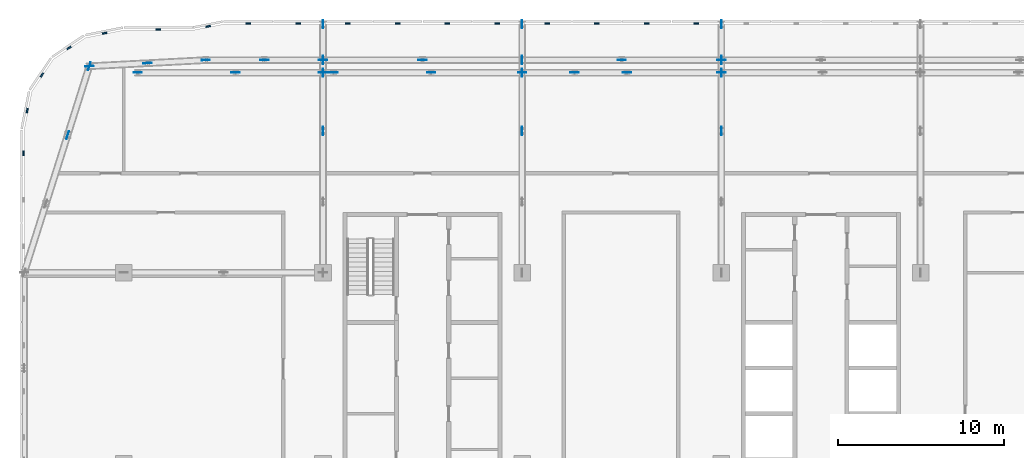
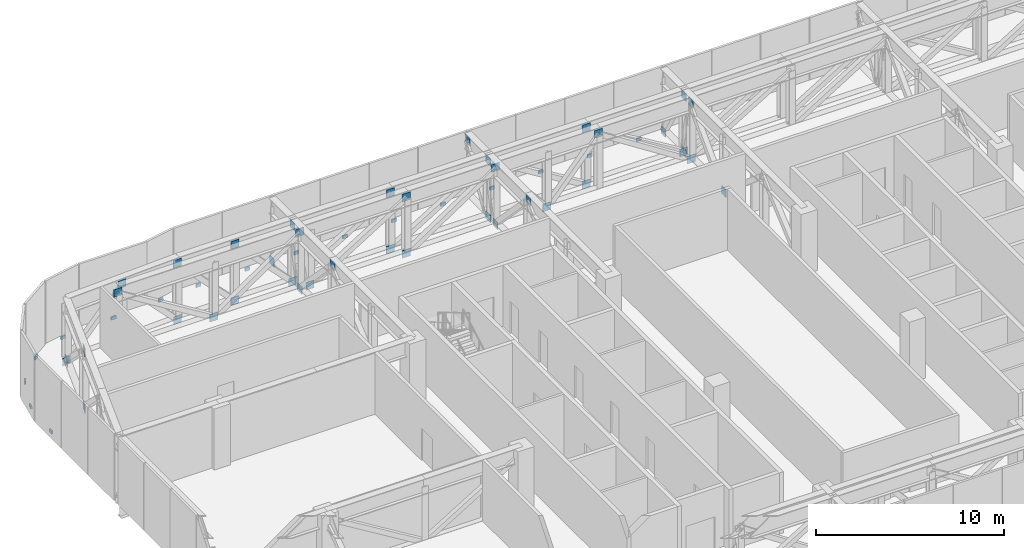
# One storey, part 19 of 29: 56 discrete accessories.
"""IFC4 building model written with IfcOpenShell, lengths in metres."""

from ifc_helpers import new_model, si_unit, direction, frame, origin, origin_2d, place, context, subcontext, project, spatial, rectangle, extrude, material, layer, layer_set, type_object, element, save


model = new_model("IFC4")

# Units and contexts
model_context = context("Model", 3, precision=1e-05, world=origin(), true_north=direction((0.0, 1.0)))
body_context = subcontext(model_context, "Body", "Model", "MODEL_VIEW")
ifc_project = project(units=[si_unit("LENGTHUNIT", "METRE"), si_unit("AREAUNIT", "SQUARE_METRE"), si_unit("VOLUMEUNIT", "CUBIC_METRE"), si_unit("PLANEANGLEUNIT", "RADIAN"), si_unit("MASSUNIT", "GRAM", prefix="KILO")], contexts=[model_context])

# Site, building, storey
site_placement = place(None, origin())
site = spatial("IfcSite", under=ifc_project, at=site_placement, CompositionType="ELEMENT")
building_placement = place(site_placement, origin())
building = spatial("IfcBuilding", under=site, at=building_placement, Name="Mahtab Terrace Research Tower", CompositionType="ELEMENT")
storey_placement = place(building_placement, frame((0.0, 0.0, 259.0)))
storey = spatial("IfcBuildingStorey", under=building, at=storey_placement, Name="L63", CompositionType="ELEMENT", Elevation=259.0)

# Discrete accessories
ifc_material_1 = material(Name="Black anodised aluminium", Category="aluminium")
discrete_accessory_type_1 = type_object("IfcDiscreteAccessoryType", Name="Facade bracket", PredefinedType="BRACKET", material=ifc_material_1)
for number, where, z_axis, x_axis, name in (
    (1, (-7.5, 26.51806640625, -0.2998046875), (0.0, 0.0, 1.0), (-1.0, 0.0, 0.0), "Louvre bracket L63 66"),
    (2, (-10.5, 26.51806640625, -0.2998046875), (0.0, 0.0, 1.0), (-1.0, 0.0, 0.0), "Louvre bracket L63 67"),
    (3, (-13.5, 26.51806640625, -0.2998046875), (0.0, 0.0, 1.0), (-1.0, 0.0, 0.0), "Louvre bracket L63 68"),
    (4, (-16.5, 26.51806640625, -0.2998046875), (0.0, 0.0, 1.0), (-1.0, 0.0, 0.0), "Louvre bracket L63 69"),
    (5, (-19.5, 26.51806640625, -0.2998046875), (0.0, 0.0, 1.0), (-1.0, 0.0, 0.0), "Louvre bracket L63 70"),
    (6, (-22.5, 26.51806640625, -0.2998046875), (0.0, 0.0, 1.0), (-1.0, 0.0, 0.0), "Louvre bracket L63 71"),
    (7, (-25.5, 26.51806640625, -0.2998046875), (0.0, 0.0, 1.0), (-1.0, 0.0, 0.0), "Louvre bracket L63 72"),
    (8, (-28.5, 26.51806640625, -0.2998046875), (0.0, 0.0, 1.0), (-1.0, 0.0, 0.0), "Louvre bracket L63 73"),
    (9, (-31.5, 26.51806640625, -0.2998046875), (0.0, 0.0, 1.0), (-1.0, 0.0, 0.0), "Louvre bracket L63 74"),
    (10, (-34.5, 26.51806640625, -0.2998046875), (0.0, 0.0, 1.0), (-1.0, 0.0, 0.0), "Louvre bracket L63 75"),
    (11, (-36.916259765625, 26.336669921875, -0.2998046875), (0.0, 0.0, 1.0), (-0.980787963133, -0.195076834539, 0.0), "Louvre bracket L63 76"),
    (12, (-39.907470703125, 26.156982421875, -0.2998046875), (0.0, 0.0, 1.0), (-1.0, 0.0, 0.0), "Louvre bracket L63 77"),
    (13, (-43.15673828125, 25.927734375, -0.2998046875), (0.0, 0.0, 1.0), (-0.980760981187, -0.195212442692, 0.0), "Louvre bracket L63 78"),
    (14, (-45.29443359375, 25.04248046875, -0.2998046875), (0.0, 0.0, 1.0), (-0.831655794326, -0.555291490808, 0.0), "Louvre bracket L63 79"),
    (15, (-46.930419921875, 23.406494140625, -0.2998046875), (0.0, 0.0, 1.0), (-0.555291490808, -0.831655794326, 0.0), "Louvre bracket L63 80"),
    (16, (-47.815673828125, 21.268798828125, -0.2998046875), (0.0, 0.0, 1.0), (-0.195212442692, -0.980760981187, 0.0), "Louvre bracket L63 81"),
    (17, (-48.044921875, 18.7080078125, -0.2998046875), (0.0, 0.0, 1.0), (0.0, -1.0, 0.0), "Louvre bracket L63 82"),
):
    element("IfcDiscreteAccessory", number, at=place(storey_placement, frame(where, z_axis=z_axis, x_axis=x_axis)), inside=storey, type_object=discrete_accessory_type_1, Name=name, PredefinedType="BRACKET", context=body_context, shape_type="SweptSolid", body=[
        extrude(rectangle(XDim=0.300048828125, YDim=0.090087890625, at=origin_2d()), origin(), (0.0, 0.0, 1.0), 0.199951171875),
    ])
ifc_material_2 = material(Name="Steel ASTM A992 Gr 50", Category="steel")
ifc_layer = layer(ifc_material_2, 0.030029296875)
ifc_layer_set = layer_set([ifc_layer], Name="Gusset plate 500x500x30")
discrete_accessory_type_2 = type_object("IfcDiscreteAccessoryType", Name="Gusset plate 500x500x30", PredefinedType="USERDEFINED", material=ifc_layer_set)
for number, where, z_axis, x_axis, name in (
    (18, (-41.154052734375, 23.5458984375, 3.209716796875), (0.0, 0.0, 1.0), (1.0, 0.0, 0.0), "Gusset plate"),
    (19, (-37.05810546875, 24.306884765625, 3.209716796875), (0.0, 0.0, 1.0), (1.0, 0.0, 0.0), "Gusset plate"),
    (20, (-35.260009765625, 23.5458984375, -0.44677734375), (0.0, 0.0, 1.0), (1.0, 0.0, 0.0), "Gusset plate"),
    (21, (-33.529052734375, 24.306884765625, -0.44677734375), (0.0, 0.0, 1.0), (1.0, 0.0, 0.0), "Gusset plate"),
    (22, (-33.529052734375, 24.306884765625, 3.209716796875), (0.0, 0.0, 1.0), (1.0, 0.0, 0.0), "Gusset plate"),
    (23, (-30.0, 23.5458984375, 3.209716796875), (0.0, 0.0, 1.0), (1.0, 0.0, 0.0), "Gusset plate"),
    (24, (-30.0, 24.306884765625, -0.44677734375), (0.0, 0.0, 1.0), (1.0, 0.0, 0.0), "Gusset plate"),
    (25, (-29.365966796875, 23.5458984375, -0.44677734375), (0.0, 0.0, 1.0), (1.0, 0.0, 0.0), "Gusset plate"),
    (26, (-24.0, 24.306884765625, -0.44677734375), (0.0, 0.0, 1.0), (1.0, 0.0, 0.0), "Gusset plate"),
    (27, (-24.0, 24.306884765625, 3.209716796875), (0.0, 0.0, 1.0), (1.0, 0.0, 0.0), "Gusset plate"),
    (28, (-23.470947265625, 23.5458984375, -0.44677734375), (0.0, 0.0, 1.0), (1.0, 0.0, 0.0), "Gusset plate"),
    (29, (-23.470947265625, 23.5458984375, 3.209716796875), (0.0, 0.0, 1.0), (1.0, 0.0, 0.0), "Gusset plate"),
    (30, (-18.0, 23.5458984375, 3.209716796875), (0.0, 0.0, 1.0), (1.0, 0.0, 0.0), "Gusset plate"),
    (31, (-14.841552734375, 23.5458984375, -0.44677734375), (0.0, 0.0, 1.0), (1.0, 0.0, 0.0), "Gusset plate"),
    (32, (-12.0, 24.306884765625, -0.44677734375), (0.0, 0.0, 1.0), (1.0, 0.0, 0.0), "Gusset plate"),
    (33, (-12.0, 24.306884765625, 3.209716796875), (0.0, 0.0, 1.0), (1.0, 0.0, 0.0), "Gusset plate"),
    (34, (-11.68310546875, 23.5458984375, 3.209716796875), (0.0, 0.0, 1.0), (1.0, 0.0, 0.0), "Gusset plate"),
    (35, (-6.0, 23.5458984375, -0.44677734375), (0.0, 0.0, 1.0), (1.0, 0.0, 0.0), "Gusset plate"),
    (36, (-6.0, 24.306884765625, -0.44677734375), (0.0, 0.0, 1.0), (1.0, 0.0, 0.0), "Gusset plate"),
    (37, (-44.072021484375, 23.93701171875, -0.44677734375), (0.0, 0.0, 1.0), (0.99861120522, 0.052684540515, 0.0), "Gusset plate"),
    (38, (-40.56494140625, 24.1220703125, 3.209716796875), (0.0, 0.0, 1.0), (0.99861120522, 0.052684540515, 0.0), "Gusset plate"),
    (39, (-37.05810546875, 24.306884765625, -0.44677734375), (0.0, 0.0, 1.0), (0.99861120522, 0.052684540515, 0.0), "Gusset plate"),
    (40, (-45.381103515625, 19.791015625, -0.44677734375), (0.0, 0.0, 1.0), (0.301354904328, 0.95351204588, 0.0), "Gusset plate"),
    (41, (-45.381103515625, 19.791015625, 3.209716796875), (0.0, 0.0, 1.0), (0.301071978348, 0.953601417707, 0.0), "Gusset plate"),
    (42, (-44.072021484375, 23.93701171875, -0.44677734375), (0.0, 0.0, 1.0), (0.301071978348, 0.953601417707, 0.0), "Gusset plate"),
    (43, (-30.0, 20.0380859375, 3.209716796875), (0.0, 0.0, 1.0), (0.0, 1.0, 0.0), "Gusset plate"),
    (44, (-30.0, 23.5458984375, -0.44677734375), (0.0, 0.0, 1.0), (0.0, 1.0, 0.0), "Gusset plate"),
    (45, (-30.0, 24.306884765625, 3.209716796875), (0.0, 0.0, 1.0), (0.0, 1.0, 0.0), "Gusset plate"),
    (46, (-30.0, 26.472900390625, -0.44677734375), (0.0, 0.0, 1.0), (0.0, 1.0, 0.0), "Gusset plate"),
    (47, (-18.0, 20.0380859375, 3.209716796875), (0.0, 0.0, 1.0), (0.0, 1.0, 0.0), "Gusset plate"),
    (48, (-18.0, 23.5458984375, -0.44677734375), (0.0, 0.0, 1.0), (0.0, 1.0, 0.0), "Gusset plate"),
    (49, (-18.0, 24.306884765625, -0.44677734375), (0.0, 0.0, 1.0), (0.0, 1.0, 0.0), "Gusset plate"),
    (50, (-18.0, 24.306884765625, 3.209716796875), (0.0, 0.0, 1.0), (0.0, 1.0, 0.0), "Gusset plate"),
    (51, (-18.0, 26.472900390625, 3.209716796875), (0.0, 0.0, 1.0), (0.0, 1.0, 0.0), "Gusset plate"),
    (52, (-6.0, 20.0380859375, -0.44677734375), (0.0, 0.0, 1.0), (0.0, 1.0, 0.0), "Gusset plate"),
    (53, (-6.0, 23.5458984375, 3.209716796875), (0.0, 0.0, 1.0), (0.0, 1.0, 0.0), "Gusset plate"),
    (54, (-6.0, 24.306884765625, -0.44677734375), (0.0, 0.0, 1.0), (0.0, 1.0, 0.0), "Gusset plate"),
    (55, (-6.0, 24.306884765625, 3.209716796875), (0.0, 0.0, 1.0), (0.0, 1.0, 0.0), "Gusset plate"),
    (56, (-6.0, 26.472900390625, -0.44677734375), (0.0, 0.0, 1.0), (0.0, 1.0, 0.0), "Gusset plate"),
):
    element("IfcDiscreteAccessory", number, at=place(storey_placement, frame(where, z_axis=z_axis, x_axis=x_axis)), inside=storey, type_object=discrete_accessory_type_2, Name=name, ObjectType="GUSSET PLATE", PredefinedType="USERDEFINED", context=body_context, shape_type="SweptSolid", body=[
        extrude(rectangle(XDim=0.5, YDim=0.030029296875, at=origin_2d()), origin(), (0.0, 0.0, 1.0), 0.5),
    ])

save(model, "model.ifc")
